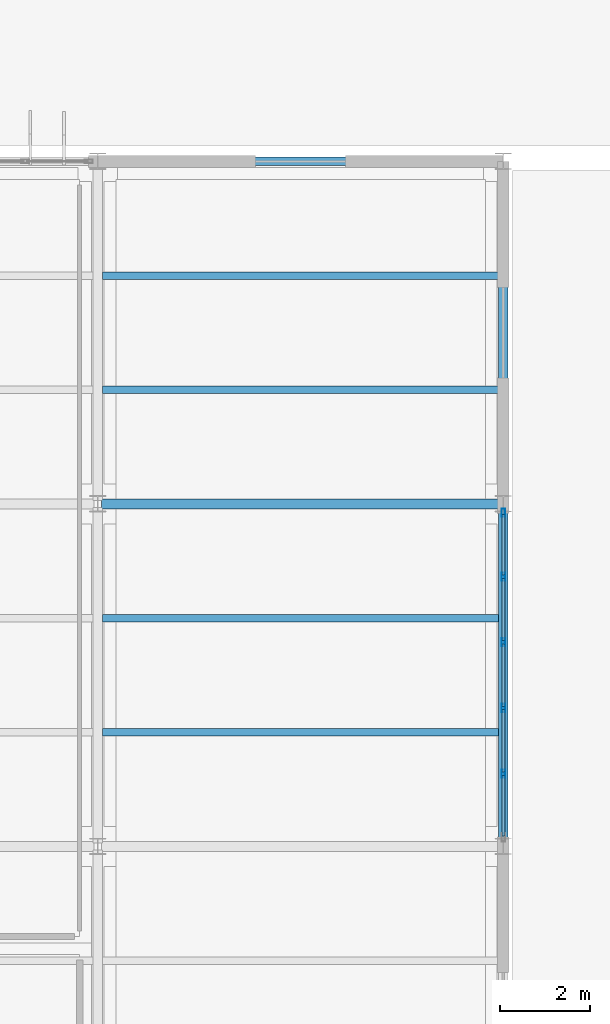
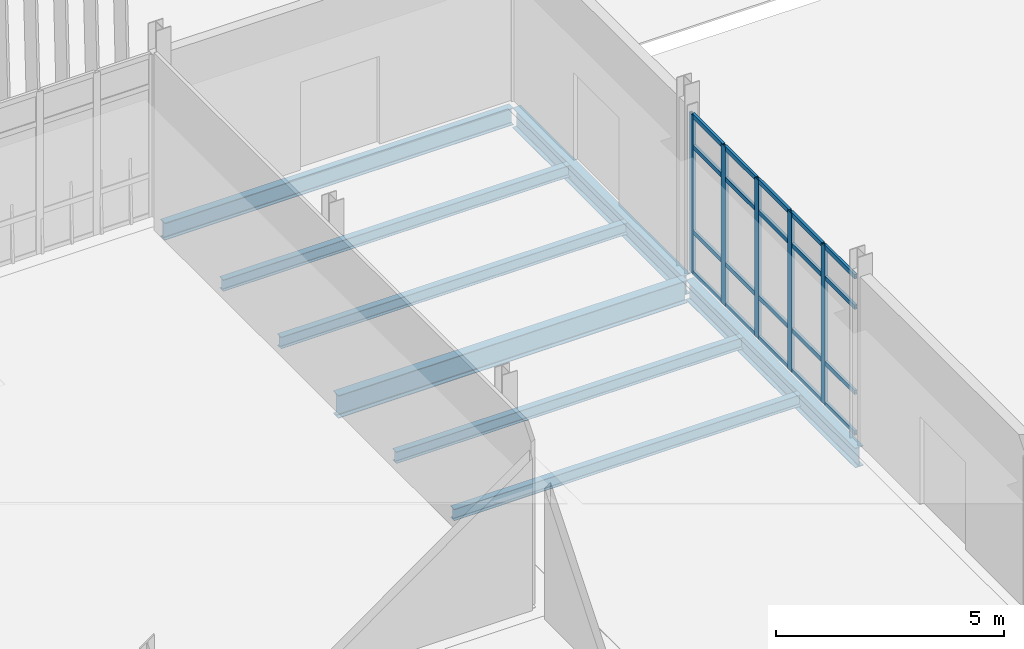
# One storey, part 63 of 161: 25 members, 8 beams, 1 element without a shape of its own.
"""IFC4 building model written with IfcOpenShell, lengths in metres."""

from ifc_helpers import new_model, si_unit, direction, frame, origin, origin_2d, place, context, subcontext, project, spatial, hollow_rectangle, i_section, extrude, material, material_profile, profile_set, type_object, element, aggregate, save


model = new_model("IFC4")

# Units and contexts
model_context = context("Model", 3, precision=1e-05, world=origin(), true_north=direction((0.0, 1.0)))
body_context = subcontext(model_context, "Body", "Model", "MODEL_VIEW")
ifc_project = project(units=[si_unit("LENGTHUNIT", "METRE"), si_unit("AREAUNIT", "SQUARE_METRE"), si_unit("VOLUMEUNIT", "CUBIC_METRE"), si_unit("PLANEANGLEUNIT", "RADIAN"), si_unit("MASSUNIT", "GRAM", prefix="KILO")], contexts=[model_context])

# Site, building, storey
site_placement = place(None, origin())
site = spatial("IfcSite", under=ifc_project, at=site_placement, CompositionType="ELEMENT")
building_placement = place(site_placement, origin())
building = spatial("IfcBuilding", under=site, at=building_placement, Name="Caisbarro Railhouse Central Library", CompositionType="ELEMENT")
storey_placement = place(building_placement, origin())
storey = spatial("IfcBuildingStorey", under=building, at=storey_placement, Name="L00", CompositionType="ELEMENT", Elevation=0.0)

# Beams
ifc_material_1 = material(Name="Steel ASTM A572 Grade 50", Category="steel")
ifc_material_profile_1 = material_profile(ifc_material_1, i_section(OverallWidth=0.22802734375, OverallDepth=0.60791015625, WebThickness=0.01123046875, FlangeThickness=0.017333984375, FilletRadius=0.02197265625, at=origin_2d()), Name="W610X113.0")
ifc_profile_set_1 = profile_set([ifc_material_profile_1], Name="Steel ASTM A572 Grade 50")
beam_type_1 = type_object("IfcBeamType", Name="BM-G04", PredefinedType="BEAM", material=ifc_profile_set_1)
beam_1_placement = place(storey_placement, frame((63.080078125, 53.199951171875, -0.553955078125), z_axis=(1.0, 0.0, 0.0), x_axis=(0.0, 1.0, 0.0)))
element("IfcBeam", 1, at=beam_1_placement, inside=storey, type_object=beam_type_1, Name="G04 beam L00 #274", PredefinedType="BEAM", context=body_context, shape_type="SweptSolid", body=[
    extrude(i_section(OverallWidth=0.22802734375, OverallDepth=0.60791015625, WebThickness=0.01123046875, FlangeThickness=0.017333984375, FilletRadius=0.02197265625, at=origin_2d()), origin(), (0.0, 0.0, 1.0), 8.83984375),
])
ifc_material_profile_2 = material_profile(ifc_material_1, i_section(OverallWidth=0.208984375, OverallDepth=0.532958984375, WebThickness=0.01025390625, FlangeThickness=0.015625, FilletRadius=0.02001953125, at=origin_2d()), Name="W530X92.0")
ifc_profile_set_2 = profile_set([ifc_material_profile_2], Name="Steel ASTM A572 Grade 50")
beam_type_2 = type_object("IfcBeamType", Name="BM-G06", PredefinedType="BEAM", material=ifc_profile_set_2)
beam_2_placement = place(storey_placement, frame((72.0, 45.679931640625, -0.5166015625), z_axis=(0.0, 1.0, 0.0), x_axis=(-1.0, 0.0, 0.0)))
element("IfcBeam", 2, at=beam_2_placement, inside=storey, type_object=beam_type_2, Name="G06 beam L00 #317", PredefinedType="BEAM", context=body_context, shape_type="SweptSolid", body=[
    extrude(i_section(OverallWidth=0.208984375, OverallDepth=0.532958984375, WebThickness=0.01025390625, FlangeThickness=0.015625, FilletRadius=0.02001953125, at=origin_2d()), origin(), (0.0, 0.0, 1.0), 7.440185546875),
])
beam_3_placement = place(storey_placement, frame((72.0, 53.280029296875, -0.5166015625), z_axis=(0.0, 1.0, 0.0), x_axis=(-1.0, 0.0, 0.0)))
element("IfcBeam", 3, at=beam_3_placement, inside=storey, type_object=beam_type_2, Name="G06 beam L00 #318", PredefinedType="BEAM", context=body_context, shape_type="SweptSolid", body=[
    extrude(i_section(OverallWidth=0.208984375, OverallDepth=0.532958984375, WebThickness=0.01025390625, FlangeThickness=0.015625, FilletRadius=0.02001953125, at=origin_2d()), origin(), (0.0, 0.0, 1.0), 7.43994140625),
])
ifc_material_profile_3 = material_profile(ifc_material_1, i_section(OverallWidth=0.1650390625, OverallDepth=0.31005859375, WebThickness=0.005859375, FlangeThickness=0.009765625, FilletRadius=0.011962890625, at=origin_2d()), Name="W310X38.7")
ifc_profile_set_3 = profile_set([ifc_material_profile_3], Name="Steel ASTM A572 Grade 50")
beam_type_3 = type_object("IfcBeamType", Name="BM-J03", PredefinedType="JOIST", material=ifc_profile_set_3)
for number, where, z_axis, x_axis, name in (
    (4, (63.1044921875, 48.13330078125, -0.405029296875), (1.0, 0.0, 0.0), (0.0, 1.0, 0.0), "J03 beam L00 #377"),
    (5, (63.1044921875, 50.666748046875, -0.405029296875), (1.0, 0.0, 0.0), (0.0, 1.0, 0.0), "J03 beam L00 #378"),
    (6, (63.1044921875, 55.7333984375, -0.405029296875), (1.0, 0.0, 0.0), (0.0, 1.0, 0.0), "J03 beam L00 #379"),
    (7, (63.1044921875, 58.2666015625, -0.405029296875), (1.0, 0.0, 0.0), (0.0, 1.0, 0.0), "J03 beam L00 #380"),
):
    element("IfcBeam", number, at=place(storey_placement, frame(where, z_axis=z_axis, x_axis=x_axis)), inside=storey, type_object=beam_type_3, Name=name, PredefinedType="JOIST", context=body_context, shape_type="SweptSolid", body=[
        extrude(i_section(OverallWidth=0.1650390625, OverallDepth=0.31005859375, WebThickness=0.005859375, FlangeThickness=0.009765625, FilletRadius=0.011962890625, at=origin_2d()), origin(), (0.0, 0.0, 1.0), 8.791015625),
    ])
ifc_material_profile_4 = material_profile(ifc_material_1, i_section(OverallWidth=0.18994140625, OverallDepth=0.45703125, WebThickness=0.009033203125, FlangeThickness=0.014404296875, FilletRadius=0.01806640625, at=origin_2d()), Name="W460X74.0")
ifc_profile_set_4 = profile_set([ifc_material_profile_4], Name="Steel ASTM A572 Grade 50")
beam_type_4 = type_object("IfcBeamType", Name="BM-SP01", PredefinedType="SPANDREL", material=ifc_profile_set_4)
beam_4_placement = place(storey_placement, frame((63.080078125, 60.800048828125, -0.478515625), z_axis=(1.0, 0.0, 0.0), x_axis=(0.0, 1.0, 0.0)))
element("IfcBeam", 8, at=beam_4_placement, inside=storey, type_object=beam_type_4, Name="SP01 beam L00 #282", PredefinedType="SPANDREL", context=body_context, shape_type="SweptSolid", body=[
    extrude(i_section(OverallWidth=0.18994140625, OverallDepth=0.45703125, WebThickness=0.009033203125, FlangeThickness=0.014404296875, FilletRadius=0.01806640625, at=origin_2d()), origin(), (0.0, 0.0, 1.0), 8.83984375),
])

# Curtain wall, members
ifc_material_2 = material(Name="Anodised architectural aluminium", Category="aluminium")
curtain_wall_type = type_object("IfcCurtainWallType", Name="CW-CW01", PredefinedType="NOTDEFINED", material=ifc_material_2)
curtain_wall_placement = place(storey_placement, origin())
curtain_wall = element("IfcCurtainWall", 9, at=curtain_wall_placement, inside=storey, type_object=curtain_wall_type, Name="CW01 curtain wall L00 #24", PredefinedType="NOTDEFINED")
ifc_material_profile_5 = material_profile(ifc_material_2, hollow_rectangle(XDim=0.074951171875, YDim=0.179931640625, WallThickness=0.00439453125, at=origin_2d()), Name="ALU-MUL-75X180")
ifc_profile_set_5 = profile_set([ifc_material_profile_5], Name="Anodised architectural aluminium")
member_type_1 = type_object("IfcMemberType", Name="CWM-M01", PredefinedType="MULLION", material=ifc_profile_set_5)
member_1_placement = place(storey_placement, frame((72.0, 47.216064453125, 0.0), z_axis=(0.0, 0.0, 1.0), x_axis=(-1.0, 0.0, 0.0)))
member_1 = element("IfcMember", 10, at=member_1_placement, type_object=member_type_1, Name="CW01 mullion 2", PredefinedType="MULLION", context=body_context, shape_type="SweptSolid", body=[
    extrude(hollow_rectangle(XDim=0.074951171875, YDim=0.179931640625, WallThickness=0.00439453125, at=origin_2d()), origin(), (0.0, 0.0, 1.0), 4.25),
])
member_2_placement = place(storey_placement, frame((72.0, 48.672119140625, 0.0), z_axis=(0.0, 0.0, 1.0), x_axis=(-1.0, 0.0, 0.0)))
member_2 = element("IfcMember", 11, at=member_2_placement, type_object=member_type_1, Name="CW01 mullion 3", PredefinedType="MULLION", context=body_context, shape_type="SweptSolid", body=[
    extrude(hollow_rectangle(XDim=0.074951171875, YDim=0.179931640625, WallThickness=0.00439453125, at=origin_2d()), origin(), (0.0, 0.0, 1.0), 4.25),
])
member_3_placement = place(storey_placement, frame((72.0, 50.1279296875, 0.0), z_axis=(0.0, 0.0, 1.0), x_axis=(-1.0, 0.0, 0.0)))
member_3 = element("IfcMember", 12, at=member_3_placement, type_object=member_type_1, Name="CW01 mullion 4", PredefinedType="MULLION", context=body_context, shape_type="SweptSolid", body=[
    extrude(hollow_rectangle(XDim=0.074951171875, YDim=0.179931640625, WallThickness=0.00439453125, at=origin_2d()), origin(), (0.0, 0.0, 1.0), 4.25),
])
member_4_placement = place(storey_placement, frame((72.0, 51.583984375, 0.0), z_axis=(0.0, 0.0, 1.0), x_axis=(-1.0, 0.0, 0.0)))
member_4 = element("IfcMember", 13, at=member_4_placement, type_object=member_type_1, Name="CW01 mullion 5", PredefinedType="MULLION", context=body_context, shape_type="SweptSolid", body=[
    extrude(hollow_rectangle(XDim=0.074951171875, YDim=0.179931640625, WallThickness=0.00439453125, at=origin_2d()), origin(), (0.0, 0.0, 1.0), 4.25),
])
member_5_placement = place(storey_placement, frame((72.0, 53.00244140625, 0.0), z_axis=(0.0, 0.0, 1.0), x_axis=(-1.0, 0.0, 0.0)))
member_5 = element("IfcMember", 14, at=member_5_placement, type_object=member_type_1, Name="CW01 mullion 6", PredefinedType="MULLION", context=body_context, shape_type="SweptSolid", body=[
    extrude(hollow_rectangle(XDim=0.074951171875, YDim=0.179931640625, WallThickness=0.00439453125, at=origin_2d()), origin(), (0.0, 0.0, 1.0), 4.25),
])
ifc_material_profile_6 = material_profile(ifc_material_2, hollow_rectangle(XDim=0.06494140625, YDim=0.1201171875, WallThickness=0.00341796875, at=origin_2d()), Name="ALU-TRN-65X120")
ifc_profile_set_6 = profile_set([ifc_material_profile_6], Name="Anodised architectural aluminium")
member_type_2 = type_object("IfcMemberType", Name="CWT-T02", PredefinedType="USERDEFINED", material=ifc_profile_set_6)
member_6_placement = place(storey_placement, frame((72.0, 45.8349609375, 0.032470703125), z_axis=(0.0, 1.0, 0.0), x_axis=(-1.0, 0.0, 0.0)))
member_6 = element("IfcMember", 15, at=member_6_placement, type_object=member_type_2, Name="CW01 transom 1.1", ObjectType="TRANSOM", PredefinedType="USERDEFINED", context=body_context, shape_type="SweptSolid", body=[
    extrude(hollow_rectangle(XDim=0.06494140625, YDim=0.1201171875, WallThickness=0.00341796875, at=origin_2d()), origin(), (0.0, 0.0, 1.0), 1.343505859375),
])
member_7_placement = place(storey_placement, frame((72.0, 45.8349609375, 1.1201171875), z_axis=(0.0, 1.0, 0.0), x_axis=(-1.0, 0.0, 0.0)))
member_7 = element("IfcMember", 16, at=member_7_placement, type_object=member_type_2, Name="CW01 transom 1.2", ObjectType="TRANSOM", PredefinedType="USERDEFINED", context=body_context, shape_type="SweptSolid", body=[
    extrude(hollow_rectangle(XDim=0.06494140625, YDim=0.1201171875, WallThickness=0.00341796875, at=origin_2d()), origin(), (0.0, 0.0, 1.0), 1.343505859375),
])
member_8_placement = place(storey_placement, frame((72.0, 45.8349609375, 3.39990234375), z_axis=(0.0, 1.0, 0.0), x_axis=(-1.0, 0.0, 0.0)))
member_8 = element("IfcMember", 17, at=member_8_placement, type_object=member_type_2, Name="CW01 transom 1.3", ObjectType="TRANSOM", PredefinedType="USERDEFINED", context=body_context, shape_type="SweptSolid", body=[
    extrude(hollow_rectangle(XDim=0.06494140625, YDim=0.1201171875, WallThickness=0.00341796875, at=origin_2d()), origin(), (0.0, 0.0, 1.0), 1.343505859375),
])
member_9_placement = place(storey_placement, frame((72.0, 45.8349609375, 4.217529296875), z_axis=(0.0, 1.0, 0.0), x_axis=(-1.0, 0.0, 0.0)))
member_9 = element("IfcMember", 18, at=member_9_placement, type_object=member_type_2, Name="CW01 transom 1.4", ObjectType="TRANSOM", PredefinedType="USERDEFINED", context=body_context, shape_type="SweptSolid", body=[
    extrude(hollow_rectangle(XDim=0.06494140625, YDim=0.1201171875, WallThickness=0.00341796875, at=origin_2d()), origin(), (0.0, 0.0, 1.0), 1.343505859375),
])
member_10_placement = place(storey_placement, frame((72.0, 47.25341796875, 0.032470703125), z_axis=(0.0, 1.0, 0.0), x_axis=(-1.0, 0.0, 0.0)))
member_10 = element("IfcMember", 19, at=member_10_placement, type_object=member_type_2, Name="CW01 transom 2.1", ObjectType="TRANSOM", PredefinedType="USERDEFINED", context=body_context, shape_type="SweptSolid", body=[
    extrude(hollow_rectangle(XDim=0.06494140625, YDim=0.1201171875, WallThickness=0.00341796875, at=origin_2d()), origin(), (0.0, 0.0, 1.0), 1.381103515625),
])
member_11_placement = place(storey_placement, frame((72.0, 47.25341796875, 1.1201171875), z_axis=(0.0, 1.0, 0.0), x_axis=(-1.0, 0.0, 0.0)))
member_11 = element("IfcMember", 20, at=member_11_placement, type_object=member_type_2, Name="CW01 transom 2.2", ObjectType="TRANSOM", PredefinedType="USERDEFINED", context=body_context, shape_type="SweptSolid", body=[
    extrude(hollow_rectangle(XDim=0.06494140625, YDim=0.1201171875, WallThickness=0.00341796875, at=origin_2d()), origin(), (0.0, 0.0, 1.0), 1.381103515625),
])
member_12_placement = place(storey_placement, frame((72.0, 47.25341796875, 3.39990234375), z_axis=(0.0, 1.0, 0.0), x_axis=(-1.0, 0.0, 0.0)))
member_12 = element("IfcMember", 21, at=member_12_placement, type_object=member_type_2, Name="CW01 transom 2.3", ObjectType="TRANSOM", PredefinedType="USERDEFINED", context=body_context, shape_type="SweptSolid", body=[
    extrude(hollow_rectangle(XDim=0.06494140625, YDim=0.1201171875, WallThickness=0.00341796875, at=origin_2d()), origin(), (0.0, 0.0, 1.0), 1.381103515625),
])
member_13_placement = place(storey_placement, frame((72.0, 47.25341796875, 4.217529296875), z_axis=(0.0, 1.0, 0.0), x_axis=(-1.0, 0.0, 0.0)))
member_13 = element("IfcMember", 22, at=member_13_placement, type_object=member_type_2, Name="CW01 transom 2.4", ObjectType="TRANSOM", PredefinedType="USERDEFINED", context=body_context, shape_type="SweptSolid", body=[
    extrude(hollow_rectangle(XDim=0.06494140625, YDim=0.1201171875, WallThickness=0.00341796875, at=origin_2d()), origin(), (0.0, 0.0, 1.0), 1.381103515625),
])
member_14_placement = place(storey_placement, frame((72.0, 48.70947265625, 0.032470703125), z_axis=(0.0, 1.0, 0.0), x_axis=(-1.0, 0.0, 0.0)))
member_14 = element("IfcMember", 23, at=member_14_placement, type_object=member_type_2, Name="CW01 transom 3.1", ObjectType="TRANSOM", PredefinedType="USERDEFINED", context=body_context, shape_type="SweptSolid", body=[
    extrude(hollow_rectangle(XDim=0.06494140625, YDim=0.1201171875, WallThickness=0.00341796875, at=origin_2d()), origin(), (0.0, 0.0, 1.0), 1.381103515625),
])
member_15_placement = place(storey_placement, frame((72.0, 48.70947265625, 1.1201171875), z_axis=(0.0, 1.0, 0.0), x_axis=(-1.0, 0.0, 0.0)))
member_15 = element("IfcMember", 24, at=member_15_placement, type_object=member_type_2, Name="CW01 transom 3.2", ObjectType="TRANSOM", PredefinedType="USERDEFINED", context=body_context, shape_type="SweptSolid", body=[
    extrude(hollow_rectangle(XDim=0.06494140625, YDim=0.1201171875, WallThickness=0.00341796875, at=origin_2d()), origin(), (0.0, 0.0, 1.0), 1.381103515625),
])
member_16_placement = place(storey_placement, frame((72.0, 48.70947265625, 3.39990234375), z_axis=(0.0, 1.0, 0.0), x_axis=(-1.0, 0.0, 0.0)))
member_16 = element("IfcMember", 25, at=member_16_placement, type_object=member_type_2, Name="CW01 transom 3.3", ObjectType="TRANSOM", PredefinedType="USERDEFINED", context=body_context, shape_type="SweptSolid", body=[
    extrude(hollow_rectangle(XDim=0.06494140625, YDim=0.1201171875, WallThickness=0.00341796875, at=origin_2d()), origin(), (0.0, 0.0, 1.0), 1.381103515625),
])
member_17_placement = place(storey_placement, frame((72.0, 48.70947265625, 4.217529296875), z_axis=(0.0, 1.0, 0.0), x_axis=(-1.0, 0.0, 0.0)))
member_17 = element("IfcMember", 26, at=member_17_placement, type_object=member_type_2, Name="CW01 transom 3.4", ObjectType="TRANSOM", PredefinedType="USERDEFINED", context=body_context, shape_type="SweptSolid", body=[
    extrude(hollow_rectangle(XDim=0.06494140625, YDim=0.1201171875, WallThickness=0.00341796875, at=origin_2d()), origin(), (0.0, 0.0, 1.0), 1.381103515625),
])
member_18_placement = place(storey_placement, frame((72.0, 50.16552734375, 0.032470703125), z_axis=(0.0, 1.0, 0.0), x_axis=(-1.0, 0.0, 0.0)))
member_18 = element("IfcMember", 27, at=member_18_placement, type_object=member_type_2, Name="CW01 transom 4.1", ObjectType="TRANSOM", PredefinedType="USERDEFINED", context=body_context, shape_type="SweptSolid", body=[
    extrude(hollow_rectangle(XDim=0.06494140625, YDim=0.1201171875, WallThickness=0.00341796875, at=origin_2d()), origin(), (0.0, 0.0, 1.0), 1.380859375),
])
member_19_placement = place(storey_placement, frame((72.0, 50.16552734375, 1.1201171875), z_axis=(0.0, 1.0, 0.0), x_axis=(-1.0, 0.0, 0.0)))
member_19 = element("IfcMember", 28, at=member_19_placement, type_object=member_type_2, Name="CW01 transom 4.2", ObjectType="TRANSOM", PredefinedType="USERDEFINED", context=body_context, shape_type="SweptSolid", body=[
    extrude(hollow_rectangle(XDim=0.06494140625, YDim=0.1201171875, WallThickness=0.00341796875, at=origin_2d()), origin(), (0.0, 0.0, 1.0), 1.380859375),
])
member_20_placement = place(storey_placement, frame((72.0, 50.16552734375, 3.39990234375), z_axis=(0.0, 1.0, 0.0), x_axis=(-1.0, 0.0, 0.0)))
member_20 = element("IfcMember", 29, at=member_20_placement, type_object=member_type_2, Name="CW01 transom 4.3", ObjectType="TRANSOM", PredefinedType="USERDEFINED", context=body_context, shape_type="SweptSolid", body=[
    extrude(hollow_rectangle(XDim=0.06494140625, YDim=0.1201171875, WallThickness=0.00341796875, at=origin_2d()), origin(), (0.0, 0.0, 1.0), 1.380859375),
])
member_21_placement = place(storey_placement, frame((72.0, 50.16552734375, 4.217529296875), z_axis=(0.0, 1.0, 0.0), x_axis=(-1.0, 0.0, 0.0)))
member_21 = element("IfcMember", 30, at=member_21_placement, type_object=member_type_2, Name="CW01 transom 4.4", ObjectType="TRANSOM", PredefinedType="USERDEFINED", context=body_context, shape_type="SweptSolid", body=[
    extrude(hollow_rectangle(XDim=0.06494140625, YDim=0.1201171875, WallThickness=0.00341796875, at=origin_2d()), origin(), (0.0, 0.0, 1.0), 1.380859375),
])
member_22_placement = place(storey_placement, frame((72.0, 51.62158203125, 0.032470703125), z_axis=(0.0, 1.0, 0.0), x_axis=(-1.0, 0.0, 0.0)))
member_22 = element("IfcMember", 31, at=member_22_placement, type_object=member_type_2, Name="CW01 transom 5.1", ObjectType="TRANSOM", PredefinedType="USERDEFINED", context=body_context, shape_type="SweptSolid", body=[
    extrude(hollow_rectangle(XDim=0.06494140625, YDim=0.1201171875, WallThickness=0.00341796875, at=origin_2d()), origin(), (0.0, 0.0, 1.0), 1.343505859375),
])
member_23_placement = place(storey_placement, frame((72.0, 51.62158203125, 1.1201171875), z_axis=(0.0, 1.0, 0.0), x_axis=(-1.0, 0.0, 0.0)))
member_23 = element("IfcMember", 32, at=member_23_placement, type_object=member_type_2, Name="CW01 transom 5.2", ObjectType="TRANSOM", PredefinedType="USERDEFINED", context=body_context, shape_type="SweptSolid", body=[
    extrude(hollow_rectangle(XDim=0.06494140625, YDim=0.1201171875, WallThickness=0.00341796875, at=origin_2d()), origin(), (0.0, 0.0, 1.0), 1.343505859375),
])
member_24_placement = place(storey_placement, frame((72.0, 51.62158203125, 3.39990234375), z_axis=(0.0, 1.0, 0.0), x_axis=(-1.0, 0.0, 0.0)))
member_24 = element("IfcMember", 33, at=member_24_placement, type_object=member_type_2, Name="CW01 transom 5.3", ObjectType="TRANSOM", PredefinedType="USERDEFINED", context=body_context, shape_type="SweptSolid", body=[
    extrude(hollow_rectangle(XDim=0.06494140625, YDim=0.1201171875, WallThickness=0.00341796875, at=origin_2d()), origin(), (0.0, 0.0, 1.0), 1.343505859375),
])
member_25_placement = place(storey_placement, frame((72.0, 51.62158203125, 4.217529296875), z_axis=(0.0, 1.0, 0.0), x_axis=(-1.0, 0.0, 0.0)))
member_25 = element("IfcMember", 34, at=member_25_placement, type_object=member_type_2, Name="CW01 transom 5.4", ObjectType="TRANSOM", PredefinedType="USERDEFINED", context=body_context, shape_type="SweptSolid", body=[
    extrude(hollow_rectangle(XDim=0.06494140625, YDim=0.1201171875, WallThickness=0.00341796875, at=origin_2d()), origin(), (0.0, 0.0, 1.0), 1.343505859375),
])
aggregate(curtain_wall, [member_1, member_2, member_3, member_4, member_5, member_6, member_7, member_8, member_9, member_10, member_11, member_12, member_13, member_14, member_15, member_16, member_17, member_18, member_19, member_20, member_21, member_22, member_23, member_24, member_25])

save(model, "model.ifc")
